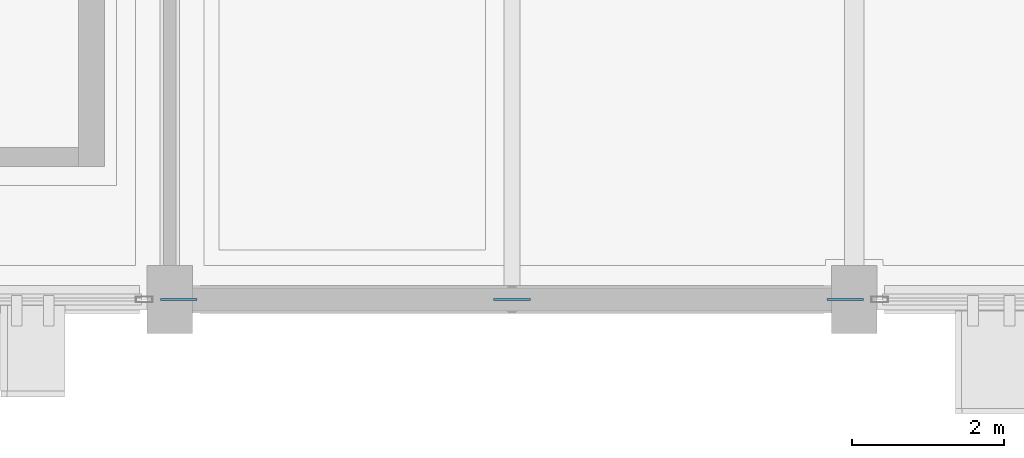
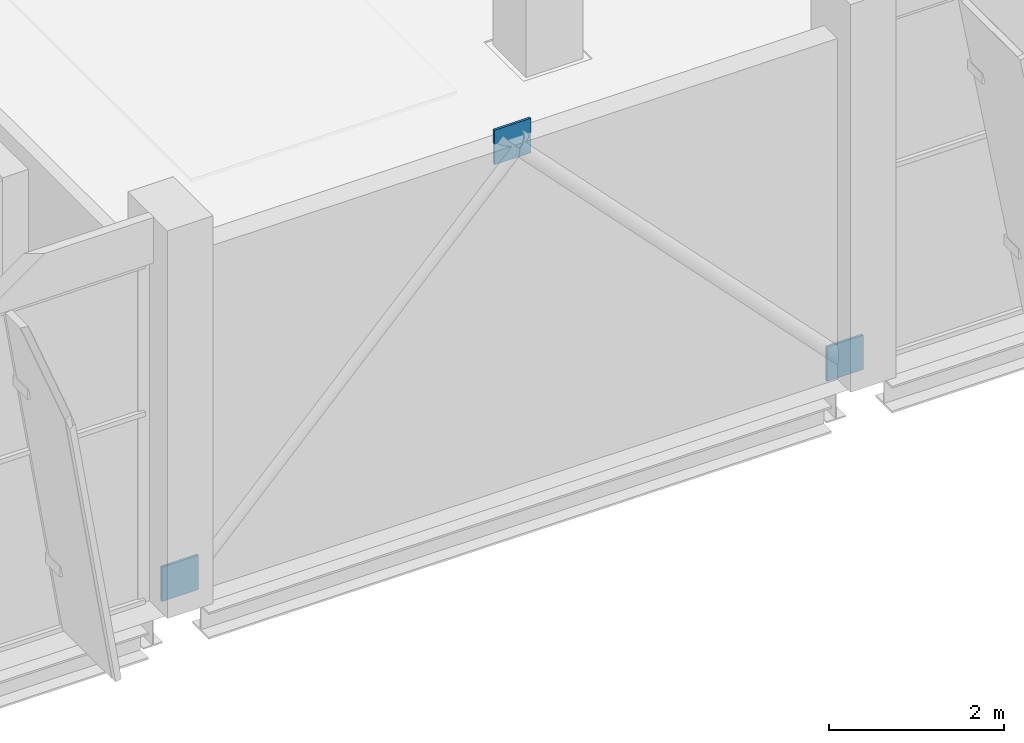
# One storey, part 81 of 137: 3 plates.
"""IFC4 building model written with IfcOpenShell, lengths in metres."""

import ifcopenshell
import ifcopenshell.guid

model = None  # the IFC model being written
_history = None  # IfcOwnerHistory: only IFC2X3 demands one
_inside = {}  # id of a spatial element -> (the spatial element, [elements in it])
_under = {}  # id of a project, library or spatial element -> (it, [spatial elements below it])
_declared = {}  # id of a project -> (the project, [libraries it declares])
_typed = {}  # id of a type object -> (the type object, [elements of that type])
_made_of = {}  # id of a material, layer set ... -> (it, [elements and type objects made of it])


def new_model(schema):
    """Start an empty IFC model of exactly this schema.

    Asked for "IFC4X3", IfcOpenShell would pick the latest addendum, in which some entities
    have other attributes; the version numbers below select the first issue.
    IFC2X3 requires an IfcOwnerHistory on every rooted entity: one is made here for all.
    """
    global model, _history
    if schema == "IFC4X3":
        model = ifcopenshell.file(schema_version=(4, 3, 0, 0))
    else:
        model = ifcopenshell.file(schema=schema)
    _inside.clear()
    _under.clear()
    _declared.clear()
    _typed.clear()
    _made_of.clear()
    _history = None
    if model.schema == "IFC2X3":
        org = make("IfcOrganization", Name="unknown")
        user = make(
            "IfcPersonAndOrganization",
            ThePerson=make("IfcPerson", FamilyName="unknown"),
            TheOrganization=org,
        )
        app = make(
            "IfcApplication",
            ApplicationDeveloper=org,
            Version="unknown",
            ApplicationFullName="unknown",
            ApplicationIdentifier="unknown",
        )
        _history = make(
            "IfcOwnerHistory",
            OwningUser=user,
            OwningApplication=app,
            ChangeAction="ADDED",
            CreationDate=0,
        )
    return model


def make(cls, **values):
    """One entity of the class cls with the attributes given. An attribute that is None is left unset."""
    return model.create_entity(
        cls, **{name: value for name, value in values.items() if value is not None}
    )


def rooted(cls, **values):
    """An entity with a GlobalId (a new one), such as an element, a storey or a relation."""
    return make(cls, GlobalId=ifcopenshell.guid.new(), OwnerHistory=_history, **values)


def si_unit(unit_type, name, prefix=None):
    """IfcSIUnit, for example si_unit("LENGTHUNIT", "METRE", prefix="MILLI")."""
    return make("IfcSIUnit", UnitType=unit_type, Prefix=prefix, Name=name)


def assignment(units):
    """IfcUnitAssignment: the units of a project."""
    return None if units is None else make("IfcUnitAssignment", Units=units)


def point(xyz):
    """IfcCartesianPoint."""
    return None if xyz is None else make("IfcCartesianPoint", Coordinates=xyz)


def direction(xyz):
    """IfcDirection."""
    return None if xyz is None else make("IfcDirection", DirectionRatios=xyz)


def frame(location, z_axis=None, x_axis=None):
    """IfcAxis2Placement3D, a coordinate frame: its origin and axes. An axis left out is left unset."""
    return make(
        "IfcAxis2Placement3D",
        Location=point(location),
        Axis=direction(z_axis),
        RefDirection=direction(x_axis),
    )


def frame_2d(location, x_axis=None):
    """IfcAxis2Placement2D, a coordinate frame in the plane: its origin and x axis."""
    return make(
        "IfcAxis2Placement2D", Location=point(location), RefDirection=direction(x_axis)
    )


def origin():
    """The frame at (0, 0, 0) with its axes left unset."""
    return frame((0.0, 0.0, 0.0))


def origin_2d():
    """The frame at (0, 0) in the plane with its x axis left unset."""
    return frame_2d((0.0, 0.0))


def place(relative_to, where):
    """IfcLocalPlacement: puts the frame where relative to a parent placement (None: the world)."""
    return make(
        "IfcLocalPlacement", PlacementRelTo=relative_to, RelativePlacement=where
    )


def context(
    kind, dimensions, precision=None, world=None, true_north=None, identifier=None
):
    """IfcGeometricRepresentationContext, for example the 3D "Model" context."""
    return make(
        "IfcGeometricRepresentationContext",
        ContextIdentifier=identifier,
        ContextType=kind,
        CoordinateSpaceDimension=dimensions,
        Precision=precision,
        WorldCoordinateSystem=world,
        TrueNorth=true_north,
    )


def subcontext(parent, identifier, kind, view, scale=None):
    """IfcGeometricRepresentationSubContext, for example "Body" below "Model"."""
    return make(
        "IfcGeometricRepresentationSubContext",
        ContextIdentifier=identifier,
        ContextType=kind,
        ParentContext=parent,
        TargetScale=scale,
        TargetView=view,
    )


def project(units=None, contexts=None):
    """IfcProject with its units and contexts."""
    return rooted(
        "IfcProject",
        Name="project",
        RepresentationContexts=contexts,
        UnitsInContext=assignment(units),
    )


def spatial(cls, under=None, at=None, **own):
    """A site, building, storey or space (cls), placed at a placement, below another one or the project."""
    s = rooted(cls, ObjectPlacement=at, **own)
    if under is not None:
        _under.setdefault(under.id(), (under, []))[1].append(s)
    return s


def profile(cls, at=None, kind="AREA", **sizes):
    """A parametric profile (cls). Its sizes go by their IFC names, for example OverallWidth=200.0."""
    return make(cls, ProfileType=kind, Position=at, **sizes)


def rectangle(**sizes):
    """IfcRectangleProfileDef."""
    return profile("IfcRectangleProfileDef", **sizes)


def extrude(swept, where, along, depth):
    """IfcExtrudedAreaSolid: the profile swept, set in the frame where, extruded along a direction by depth."""
    return make(
        "IfcExtrudedAreaSolid",
        SweptArea=swept,
        Position=where,
        ExtrudedDirection=direction(along),
        Depth=depth,
    )


def shape(context_of_items, identifier, shape_type, items):
    """IfcShapeRepresentation: the items that make up one representation, for example the "Body"."""
    return make(
        "IfcShapeRepresentation",
        ContextOfItems=context_of_items,
        RepresentationIdentifier=identifier,
        RepresentationType=shape_type,
        Items=items,
    )


def material(Name=None, Category=None):
    """IfcMaterial."""
    return make("IfcMaterial", Name=Name, Category=Category)


def layer(
    of_material, thickness, ventilated=None, Name=None, Category=None, Priority=None
):
    """IfcMaterialLayer: one layer of a wall or slab, of a material (None: an air gap)."""
    return make(
        "IfcMaterialLayer",
        Material=of_material,
        LayerThickness=thickness,
        IsVentilated=ventilated,
        Name=Name,
        Category=Category,
        Priority=Priority,
    )


def layer_set(layers, Name=None):
    """IfcMaterialLayerSet."""
    return make("IfcMaterialLayerSet", MaterialLayers=layers, LayerSetName=Name)


def made_of(thing, what):
    """Note that an element or type object is made of a material, layer set ...; save() writes the relation."""
    if what is not None:
        _made_of.setdefault(what.id(), (what, []))[1].append(thing)
    return thing


def type_object(cls, material=None, **own):
    """A type object (cls), such as IfcWallType, which elements share."""
    return made_of(rooted(cls, **own), material)


def element(
    cls,
    number,
    at=None,
    inside=None,
    cuts=None,
    type_object=None,
    material=None,
    context=None,
    identifier="Body",
    shape_type=None,
    held_by="IfcProductDefinitionShape",
    body=None,
    shapes=None,
    **own,
):
    """One element of the class cls, such as IfcWall. Its Tag is "e" and its number.

    at: its placement. inside: the storey or other place that contains it. cuts: it is an
    opening in that element (IfcRelVoidsElement). A single representation is given by context,
    identifier, shape_type and body (its items); several are given by shapes. held_by: the class
    of the entity that holds the representations. save() writes the other relations.
    """
    e = rooted(cls, Tag="e%d" % number, ObjectPlacement=at, **own)
    if body is not None:
        shapes = [shape(context, identifier, shape_type, body)]
    if shapes is not None:
        e.Representation = make(held_by, Representations=shapes)
    if inside is not None:
        _inside.setdefault(inside.id(), (inside, []))[1].append(e)
    if cuts is not None:
        rooted(
            "IfcRelVoidsElement", RelatingBuildingElement=cuts, RelatedOpeningElement=e
        )
    if type_object is not None:
        _typed.setdefault(type_object.id(), (type_object, []))[1].append(e)
    return made_of(e, material)


def aggregate(whole, parts):
    """IfcRelAggregates: a whole, such as a stair, and the parts it consists of."""
    return rooted("IfcRelAggregates", RelatingObject=whole, RelatedObjects=parts)


def save(model, path):
    """Write the relations noted so far, then the file.

    IfcRelAggregates (storeys below a building ...), IfcRelContainedInSpatialStructure (elements
    in a storey), IfcRelDefinesByType, IfcRelAssociatesMaterial and IfcRelDeclares: one each for
    every whole, place, type object, material and project.
    """
    for whole, parts in _under.values():
        aggregate(whole, parts)
    for where, things in _inside.values():
        rooted(
            "IfcRelContainedInSpatialStructure",
            RelatedElements=things,
            RelatingStructure=where,
        )
    for kind, things in _typed.values():
        rooted("IfcRelDefinesByType", RelatedObjects=things, RelatingType=kind)
    for what, things in _made_of.values():
        rooted("IfcRelAssociatesMaterial", RelatedObjects=things, RelatingMaterial=what)
    for by, libraries in _declared.values():
        rooted("IfcRelDeclares", RelatingContext=by, RelatedDefinitions=libraries)
    model.write(path)


model = new_model("IFC4")

# Units and contexts
model_context = context("Model", 3, precision=1e-05, world=origin(), true_north=direction((0.0, 1.0)))
body_context = subcontext(model_context, "Body", "Model", "MODEL_VIEW")
ifc_project = project(units=[si_unit("LENGTHUNIT", "METRE"), si_unit("AREAUNIT", "SQUARE_METRE"), si_unit("VOLUMEUNIT", "CUBIC_METRE"), si_unit("PLANEANGLEUNIT", "RADIAN"), si_unit("MASSUNIT", "GRAM", prefix="KILO")], contexts=[model_context])

# Site, building, storey
site_placement = place(None, origin())
site = spatial("IfcSite", under=ifc_project, at=site_placement, CompositionType="ELEMENT")
building_placement = place(site_placement, origin())
building = spatial("IfcBuilding", under=site, at=building_placement, Name="Celestram Park Convention Centre", CompositionType="ELEMENT")
storey_placement = place(building_placement, origin())
storey = spatial("IfcBuildingStorey", under=building, at=storey_placement, Name="L00", CompositionType="ELEMENT", Elevation=0.0)

# Plates
ifc_material = material(Name="Steel ASTM A572 Grade 50", Category="steel")
ifc_layer = layer(ifc_material, 0.031982421875)
ifc_layer_set = layer_set([ifc_layer], Name="Steel ASTM A572 Grade 50")
plate_type = type_object("IfcPlateType", Name="STR-PLT-GP32", PredefinedType="USERDEFINED", material=ifc_layer_set)
for number, where, z_axis, x_axis, name in (
    (1, (166.5, 0.0, 4.4599609375), (0.0, 0.0, 1.0), (1.0, 0.0, 0.0), "Chevron brace apex gusset GP-L00-532"),
    (2, (162.1201171875, 0.0, -0.090087890625), (0.0, 0.0, 1.0), (1.0, 0.0, 0.0), "Chevron brace base gusset GP-L00-533"),
    (3, (170.8798828125, 0.0, -0.090087890625), (0.0, 0.0, 1.0), (1.0, 0.0, 0.0), "Chevron brace base gusset GP-L00-534"),
):
    element("IfcPlate", number, at=place(storey_placement, frame(where, z_axis=z_axis, x_axis=x_axis)), inside=storey, type_object=plate_type, Name=name, ObjectType="GUSSET_PLATE", PredefinedType="USERDEFINED", context=body_context, shape_type="SweptSolid", body=[
        extrude(rectangle(XDim=0.47998046875, YDim=0.031982421875, at=origin_2d()), origin(), (0.0, 0.0, 1.0), 0.47998046875),
    ])

save(model, "model.ifc")
